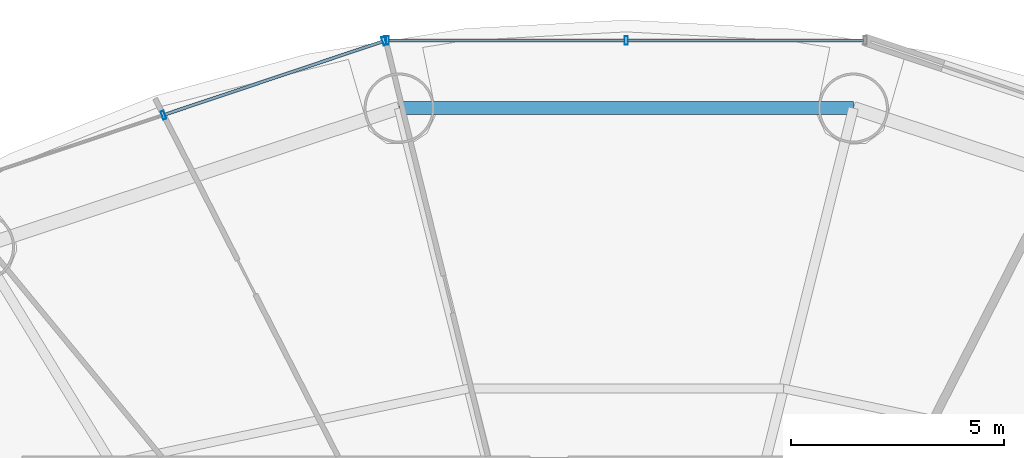
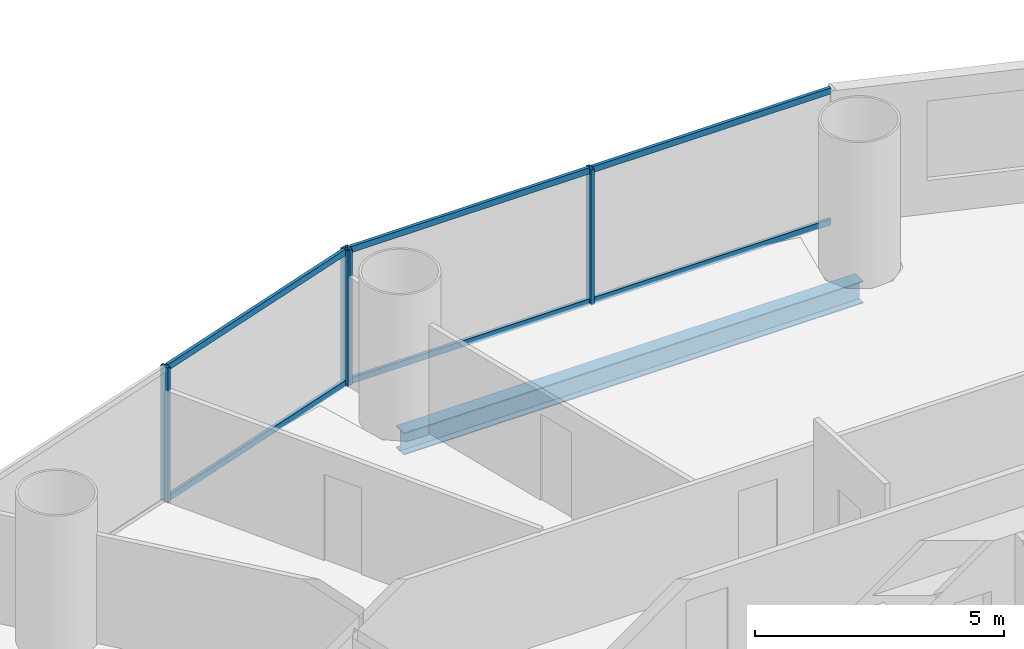
# One storey, part 17 of 29: 10 members, 1 beam, 2 elements without a shape of their own.
"""IFC4 building model written with IfcOpenShell, lengths in metres."""

import ifcopenshell
import ifcopenshell.guid

model = None  # the IFC model being written
_history = None  # IfcOwnerHistory: only IFC2X3 demands one
_inside = {}  # id of a spatial element -> (the spatial element, [elements in it])
_under = {}  # id of a project, library or spatial element -> (it, [spatial elements below it])
_declared = {}  # id of a project -> (the project, [libraries it declares])
_typed = {}  # id of a type object -> (the type object, [elements of that type])
_made_of = {}  # id of a material, layer set ... -> (it, [elements and type objects made of it])


def new_model(schema):
    """Start an empty IFC model of exactly this schema.

    Asked for "IFC4X3", IfcOpenShell would pick the latest addendum, in which some entities
    have other attributes; the version numbers below select the first issue.
    IFC2X3 requires an IfcOwnerHistory on every rooted entity: one is made here for all.
    """
    global model, _history
    if schema == "IFC4X3":
        model = ifcopenshell.file(schema_version=(4, 3, 0, 0))
    else:
        model = ifcopenshell.file(schema=schema)
    _inside.clear()
    _under.clear()
    _declared.clear()
    _typed.clear()
    _made_of.clear()
    _history = None
    if model.schema == "IFC2X3":
        org = make("IfcOrganization", Name="unknown")
        user = make(
            "IfcPersonAndOrganization",
            ThePerson=make("IfcPerson", FamilyName="unknown"),
            TheOrganization=org,
        )
        app = make(
            "IfcApplication",
            ApplicationDeveloper=org,
            Version="unknown",
            ApplicationFullName="unknown",
            ApplicationIdentifier="unknown",
        )
        _history = make(
            "IfcOwnerHistory",
            OwningUser=user,
            OwningApplication=app,
            ChangeAction="ADDED",
            CreationDate=0,
        )
    return model


def make(cls, **values):
    """One entity of the class cls with the attributes given. An attribute that is None is left unset."""
    return model.create_entity(
        cls, **{name: value for name, value in values.items() if value is not None}
    )


def rooted(cls, **values):
    """An entity with a GlobalId (a new one), such as an element, a storey or a relation."""
    return make(cls, GlobalId=ifcopenshell.guid.new(), OwnerHistory=_history, **values)


def si_unit(unit_type, name, prefix=None):
    """IfcSIUnit, for example si_unit("LENGTHUNIT", "METRE", prefix="MILLI")."""
    return make("IfcSIUnit", UnitType=unit_type, Prefix=prefix, Name=name)


def assignment(units):
    """IfcUnitAssignment: the units of a project."""
    return None if units is None else make("IfcUnitAssignment", Units=units)


def point(xyz):
    """IfcCartesianPoint."""
    return None if xyz is None else make("IfcCartesianPoint", Coordinates=xyz)


def direction(xyz):
    """IfcDirection."""
    return None if xyz is None else make("IfcDirection", DirectionRatios=xyz)


def frame(location, z_axis=None, x_axis=None):
    """IfcAxis2Placement3D, a coordinate frame: its origin and axes. An axis left out is left unset."""
    return make(
        "IfcAxis2Placement3D",
        Location=point(location),
        Axis=direction(z_axis),
        RefDirection=direction(x_axis),
    )


def frame_2d(location, x_axis=None):
    """IfcAxis2Placement2D, a coordinate frame in the plane: its origin and x axis."""
    return make(
        "IfcAxis2Placement2D", Location=point(location), RefDirection=direction(x_axis)
    )


def origin():
    """The frame at (0, 0, 0) with its axes left unset."""
    return frame((0.0, 0.0, 0.0))


def origin_2d():
    """The frame at (0, 0) in the plane with its x axis left unset."""
    return frame_2d((0.0, 0.0))


def place(relative_to, where):
    """IfcLocalPlacement: puts the frame where relative to a parent placement (None: the world)."""
    return make(
        "IfcLocalPlacement", PlacementRelTo=relative_to, RelativePlacement=where
    )


def context(
    kind, dimensions, precision=None, world=None, true_north=None, identifier=None
):
    """IfcGeometricRepresentationContext, for example the 3D "Model" context."""
    return make(
        "IfcGeometricRepresentationContext",
        ContextIdentifier=identifier,
        ContextType=kind,
        CoordinateSpaceDimension=dimensions,
        Precision=precision,
        WorldCoordinateSystem=world,
        TrueNorth=true_north,
    )


def subcontext(parent, identifier, kind, view, scale=None):
    """IfcGeometricRepresentationSubContext, for example "Body" below "Model"."""
    return make(
        "IfcGeometricRepresentationSubContext",
        ContextIdentifier=identifier,
        ContextType=kind,
        ParentContext=parent,
        TargetScale=scale,
        TargetView=view,
    )


def project(units=None, contexts=None):
    """IfcProject with its units and contexts."""
    return rooted(
        "IfcProject",
        Name="project",
        RepresentationContexts=contexts,
        UnitsInContext=assignment(units),
    )


def spatial(cls, under=None, at=None, **own):
    """A site, building, storey or space (cls), placed at a placement, below another one or the project."""
    s = rooted(cls, ObjectPlacement=at, **own)
    if under is not None:
        _under.setdefault(under.id(), (under, []))[1].append(s)
    return s


def profile(cls, at=None, kind="AREA", **sizes):
    """A parametric profile (cls). Its sizes go by their IFC names, for example OverallWidth=200.0."""
    return make(cls, ProfileType=kind, Position=at, **sizes)


def hollow_rectangle(**sizes):
    """IfcRectangleHollowProfileDef."""
    return profile("IfcRectangleHollowProfileDef", **sizes)


def i_section(**sizes):
    """IfcIShapeProfileDef."""
    return profile("IfcIShapeProfileDef", **sizes)


def extrude(swept, where, along, depth):
    """IfcExtrudedAreaSolid: the profile swept, set in the frame where, extruded along a direction by depth."""
    return make(
        "IfcExtrudedAreaSolid",
        SweptArea=swept,
        Position=where,
        ExtrudedDirection=direction(along),
        Depth=depth,
    )


def shape(context_of_items, identifier, shape_type, items):
    """IfcShapeRepresentation: the items that make up one representation, for example the "Body"."""
    return make(
        "IfcShapeRepresentation",
        ContextOfItems=context_of_items,
        RepresentationIdentifier=identifier,
        RepresentationType=shape_type,
        Items=items,
    )


def source(mapping_origin, context_of_items, identifier, shape_type, items):
    """IfcRepresentationMap: a shape defined once, which mapped items show again and again."""
    return make(
        "IfcRepresentationMap",
        MappingOrigin=mapping_origin,
        MappedRepresentation=shape(context_of_items, identifier, shape_type, items),
    )


def transform(
    local_origin,
    x_axis=None,
    y_axis=None,
    z_axis=None,
    scale=None,
    scale2=None,
    scale3=None,
    uniform=True,
):
    """IfcCartesianTransformationOperator3D, or its non-uniform kind. x_axis, y_axis, z_axis: its Axis1, 2, 3."""
    if uniform:
        return make(
            "IfcCartesianTransformationOperator3D",
            Axis1=direction(x_axis),
            Axis2=direction(y_axis),
            LocalOrigin=point(local_origin),
            Scale=scale,
            Axis3=direction(z_axis),
        )
    return make(
        "IfcCartesianTransformationOperator3DnonUniform",
        Axis1=direction(x_axis),
        Axis2=direction(y_axis),
        LocalOrigin=point(local_origin),
        Scale=scale,
        Axis3=direction(z_axis),
        Scale2=scale2,
        Scale3=scale3,
    )


def mapped(mapping_source, mapping_target):
    """IfcMappedItem: shows the shape of a source again, moved by a transform."""
    return make(
        "IfcMappedItem", MappingSource=mapping_source, MappingTarget=mapping_target
    )


def material(Name=None, Category=None):
    """IfcMaterial."""
    return make("IfcMaterial", Name=Name, Category=Category)


def material_profile(
    of_material, cross_section, Name=None, Category=None, Priority=None
):
    """IfcMaterialProfile: a cross section and its material."""
    return make(
        "IfcMaterialProfile",
        Name=Name,
        Material=of_material,
        Profile=cross_section,
        Priority=Priority,
        Category=Category,
    )


def profile_set(profiles, Name=None, composite=None):
    """IfcMaterialProfileSet."""
    return make(
        "IfcMaterialProfileSet",
        Name=Name,
        MaterialProfiles=profiles,
        CompositeProfile=composite,
    )


def made_of(thing, what):
    """Note that an element or type object is made of a material, layer set ...; save() writes the relation."""
    if what is not None:
        _made_of.setdefault(what.id(), (what, []))[1].append(thing)
    return thing


def type_object(cls, material=None, **own):
    """A type object (cls), such as IfcWallType, which elements share."""
    return made_of(rooted(cls, **own), material)


def element(
    cls,
    number,
    at=None,
    inside=None,
    cuts=None,
    type_object=None,
    material=None,
    context=None,
    identifier="Body",
    shape_type=None,
    held_by="IfcProductDefinitionShape",
    body=None,
    shapes=None,
    **own,
):
    """One element of the class cls, such as IfcWall. Its Tag is "e" and its number.

    at: its placement. inside: the storey or other place that contains it. cuts: it is an
    opening in that element (IfcRelVoidsElement). A single representation is given by context,
    identifier, shape_type and body (its items); several are given by shapes. held_by: the class
    of the entity that holds the representations. save() writes the other relations.
    """
    e = rooted(cls, Tag="e%d" % number, ObjectPlacement=at, **own)
    if body is not None:
        shapes = [shape(context, identifier, shape_type, body)]
    if shapes is not None:
        e.Representation = make(held_by, Representations=shapes)
    if inside is not None:
        _inside.setdefault(inside.id(), (inside, []))[1].append(e)
    if cuts is not None:
        rooted(
            "IfcRelVoidsElement", RelatingBuildingElement=cuts, RelatedOpeningElement=e
        )
    if type_object is not None:
        _typed.setdefault(type_object.id(), (type_object, []))[1].append(e)
    return made_of(e, material)


def aggregate(whole, parts):
    """IfcRelAggregates: a whole, such as a stair, and the parts it consists of."""
    return rooted("IfcRelAggregates", RelatingObject=whole, RelatedObjects=parts)


def save(model, path):
    """Write the relations noted so far, then the file.

    IfcRelAggregates (storeys below a building ...), IfcRelContainedInSpatialStructure (elements
    in a storey), IfcRelDefinesByType, IfcRelAssociatesMaterial and IfcRelDeclares: one each for
    every whole, place, type object, material and project.
    """
    for whole, parts in _under.values():
        aggregate(whole, parts)
    for where, things in _inside.values():
        rooted(
            "IfcRelContainedInSpatialStructure",
            RelatedElements=things,
            RelatingStructure=where,
        )
    for kind, things in _typed.values():
        rooted("IfcRelDefinesByType", RelatedObjects=things, RelatingType=kind)
    for what, things in _made_of.values():
        rooted("IfcRelAssociatesMaterial", RelatedObjects=things, RelatingMaterial=what)
    for by, libraries in _declared.values():
        rooted("IfcRelDeclares", RelatingContext=by, RelatedDefinitions=libraries)
    model.write(path)


model = new_model("IFC4")

# Units and contexts
model_context = context("Model", 3, precision=1e-05, world=origin(), true_north=direction((-0.2419218956, 0.970295726276)))
body_context = subcontext(model_context, "Body", "Model", "MODEL_VIEW")
ifc_project = project(units=[si_unit("LENGTHUNIT", "METRE"), si_unit("AREAUNIT", "SQUARE_METRE"), si_unit("VOLUMEUNIT", "CUBIC_METRE"), si_unit("PLANEANGLEUNIT", "RADIAN"), si_unit("MASSUNIT", "GRAM", prefix="KILO")], contexts=[model_context])

# Site, building, storey
site_placement = place(None, origin())
site = spatial("IfcSite", under=ifc_project, at=site_placement, CompositionType="ELEMENT")
building_placement = place(site_placement, origin())
building = spatial("IfcBuilding", under=site, at=building_placement, Name="Cobrevalo Terracotta Tower", CompositionType="ELEMENT")
storey_placement = place(building_placement, frame((0.0, 0.0, 52.800048828125)))
storey = spatial("IfcBuildingStorey", under=building, at=storey_placement, Name="L13", CompositionType="ELEMENT", Elevation=52.800048828125)

# Beam
ifc_material_1 = material(Name="Steel S355", Category="steel")
ifc_material_profile_1 = material_profile(ifc_material_1, i_section(OverallWidth=0.31201171875, OverallDepth=0.54296875, WebThickness=0.0126953125, FlangeThickness=0.020263671875, at=origin_2d()), Name="W 530x150")
ifc_profile_set_1 = profile_set([ifc_material_profile_1], Name="Steel S355")
beam_type = type_object("IfcBeamType", Name="Structural Spandrel W 530x150 (Steel S355)", PredefinedType="SPANDREL", material=ifc_profile_set_1)
beam_placement = place(storey_placement, frame((43.335693359375, 48.230224609375, -0.551513671875), z_axis=(-1.0, 0.0, 0.0), x_axis=(0.0, -1.0, 0.0)))
element("IfcBeam", 1, at=beam_placement, inside=storey, type_object=beam_type, Name="L13 perimeter ring spandrel 04", PredefinedType="SPANDREL", context=body_context, shape_type="SweptSolid", body=[
    extrude(i_section(OverallWidth=0.31201171875, OverallDepth=0.54296875, WebThickness=0.0126953125, FlangeThickness=0.020263671875, at=origin_2d()), origin(), (0.0, 0.0, 1.0), 10.67138671875),
])

# Curtain wall, members
ifc_material_2 = material(Name="Anodized aluminium", Category="aluminium")
curtain_wall_type = type_object("IfcCurtainWallType", Name="Lower-tower unitised acoustic low-E curtain wall CW-U1", PredefinedType="NOTDEFINED", material=ifc_material_2)
curtain_wall_1_placement = place(storey_placement, origin())
curtain_wall_1 = element("IfcCurtainWall", 2, at=curtain_wall_1_placement, inside=storey, type_object=curtain_wall_type, Name="L13 curtain wall CW-L13-S04", PredefinedType="NOTDEFINED")
ifc_material_profile_2 = material_profile(ifc_material_2, hollow_rectangle(XDim=0.074951171875, YDim=0.199951171875, WallThickness=0.0048828125, at=origin_2d()), Name="CWM 75x200")
ifc_profile_set_2 = profile_set([ifc_material_profile_2], Name="Anodized aluminium")
member_type_1 = type_object("IfcMemberType", Name="Lower/mid tower unitised mullion 75x200", PredefinedType="MULLION", material=ifc_profile_set_2)
shared_shape_1 = source(origin(), body_context, "Body", "SweptSolid", [
    extrude(hollow_rectangle(XDim=0.074951171875, YDim=0.199951171875, WallThickness=0.0048828125, at=origin_2d()), origin(), (0.0, 0.0, 1.0), 3.320068359375),
])
member_1_placement = place(storey_placement, frame((38.0, 49.819091796875, 0.0), z_axis=(0.0, 0.0, 1.0), x_axis=(-1.0, 0.0, 0.0)))
member_1 = element("IfcMember", 3, at=member_1_placement, type_object=member_type_1, Name="CW-L13-S04 vertical mullion 02", PredefinedType="MULLION", context=body_context, shape_type="MappedRepresentation", body=[
    mapped(shared_shape_1, transform((0.0, 0.0, 0.0), scale=1.0)),
])
member_2_placement = place(storey_placement, frame((32.38818359375, 49.819091796875, 0.0), z_axis=(0.0, 0.0, 1.0), x_axis=(-1.0, 0.0, 0.0)))
member_2 = element("IfcMember", 4, at=member_2_placement, type_object=member_type_1, Name="CW-L13-S04 vertical mullion 03", PredefinedType="MULLION", context=body_context, shape_type="MappedRepresentation", body=[
    mapped(shared_shape_1, transform((0.0, 0.0, 0.0), scale=1.0)),
])

curtain_wall_2_placement = place(storey_placement, origin())
curtain_wall_2 = element("IfcCurtainWall", 5, at=curtain_wall_2_placement, inside=storey, type_object=curtain_wall_type, Name="L13 curtain wall CW-L13-S05", PredefinedType="NOTDEFINED")
member_3_placement = place(storey_placement, frame((32.310302734375, 49.806396484375, 0.0), z_axis=(0.0, 0.0, 1.0), x_axis=(-0.948046393597, -0.318132103987, 0.0)))
member_3 = element("IfcMember", 6, at=member_3_placement, type_object=member_type_1, Name="CW-L13-S05 vertical mullion 01", PredefinedType="MULLION", context=body_context, shape_type="MappedRepresentation", body=[
    mapped(shared_shape_1, transform((0.0, 0.0, 0.0), scale=1.0)),
])
member_4_placement = place(storey_placement, frame((27.126708984375, 48.06689453125, 0.0), z_axis=(0.0, 0.0, 1.0), x_axis=(-0.948046393597, -0.318132103987, 0.0)))
member_4 = element("IfcMember", 7, at=member_4_placement, type_object=member_type_1, Name="CW-L13-S05 vertical mullion 02", PredefinedType="MULLION", context=body_context, shape_type="MappedRepresentation", body=[
    mapped(shared_shape_1, transform((0.0, 0.0, 0.0), scale=1.0)),
])
ifc_material_profile_3 = material_profile(ifc_material_2, hollow_rectangle(XDim=0.074951171875, YDim=0.14990234375, WallThickness=0.00439453125, at=origin_2d()), Name="CWT 75x150")
ifc_profile_set_3 = profile_set([ifc_material_profile_3], Name="Anodized aluminium")
member_type_2 = type_object("IfcMemberType", Name="Tower unitised aluminium transom 75x150", PredefinedType="USERDEFINED", material=ifc_profile_set_3)
shared_shape_2 = source(origin(), body_context, "Body", "SweptSolid", [
    extrude(hollow_rectangle(XDim=0.074951171875, YDim=0.14990234375, WallThickness=0.00439453125, at=origin_2d()), origin(), (0.0, 0.0, 1.0), 5.387939453125),
])
member_5_placement = place(storey_placement, frame((32.2724609375, 49.793701171875, 0.050048828125), z_axis=(-0.94804244582, -0.318143868278, 0.0), x_axis=(0.318143868278, -0.94804244582, 0.0)))
member_5 = element("IfcMember", 8, at=member_5_placement, type_object=member_type_2, Name="CW-L13-S05 transom B01-T1", ObjectType="TRANSOM", PredefinedType="USERDEFINED", context=body_context, shape_type="MappedRepresentation", body=[
    mapped(shared_shape_2, transform((0.0, 0.0, 0.0), scale=1.0)),
])
member_6_placement = place(storey_placement, frame((32.2724609375, 49.793701171875, 3.27001953125), z_axis=(-0.94804244582, -0.318143868278, 0.0), x_axis=(0.318143868278, -0.94804244582, 0.0)))
member_6 = element("IfcMember", 9, at=member_6_placement, type_object=member_type_2, Name="CW-L13-S05 transom B01-T2", ObjectType="TRANSOM", PredefinedType="USERDEFINED", context=body_context, shape_type="MappedRepresentation", body=[
    mapped(shared_shape_2, transform((0.0, 0.0, 0.0), scale=1.0)),
])
aggregate(curtain_wall_2, [member_3, member_4, member_5, member_6])

# Member
shared_shape_3 = source(origin(), body_context, "Body", "SweptSolid", [
    extrude(hollow_rectangle(XDim=0.074951171875, YDim=0.14990234375, WallThickness=0.00439453125, at=origin_2d()), origin(), (0.0, 0.0, 1.0), 5.53173828125),
])
member_7_placement = place(storey_placement, frame((43.57177734375, 49.819091796875, 0.050048828125), z_axis=(-1.0, 0.0, 0.0), x_axis=(0.0, -1.0, 0.0)))
member_7 = element("IfcMember", 10, at=member_7_placement, type_object=member_type_2, Name="CW-L13-S04 transom B01-T1", ObjectType="TRANSOM", PredefinedType="USERDEFINED", context=body_context, shape_type="MappedRepresentation", body=[
    mapped(shared_shape_3, transform((0.0, 0.0, 0.0), scale=1.0)),
])

member_8_placement = place(storey_placement, frame((43.57177734375, 49.819091796875, 3.27001953125), z_axis=(-1.0, 0.0, 0.0), x_axis=(0.0, -1.0, 0.0)))
member_8 = element("IfcMember", 11, at=member_8_placement, type_object=member_type_2, Name="CW-L13-S04 transom B01-T2", ObjectType="TRANSOM", PredefinedType="USERDEFINED", context=body_context, shape_type="MappedRepresentation", body=[
    mapped(shared_shape_3, transform((0.0, 0.0, 0.0), scale=1.0)),
])

member_9_placement = place(storey_placement, frame((37.9599609375, 49.819091796875, 0.050048828125), z_axis=(-1.0, 0.0, 0.0), x_axis=(0.0, -1.0, 0.0)))
member_9 = element("IfcMember", 12, at=member_9_placement, type_object=member_type_2, Name="CW-L13-S04 transom B02-T1", ObjectType="TRANSOM", PredefinedType="USERDEFINED", context=body_context, shape_type="MappedRepresentation", body=[
    mapped(shared_shape_3, transform((0.0, 0.0, 0.0), scale=1.0)),
])

member_10_placement = place(storey_placement, frame((37.9599609375, 49.819091796875, 3.27001953125), z_axis=(-1.0, 0.0, 0.0), x_axis=(0.0, -1.0, 0.0)))
member_10 = element("IfcMember", 13, at=member_10_placement, type_object=member_type_2, Name="CW-L13-S04 transom B02-T2", ObjectType="TRANSOM", PredefinedType="USERDEFINED", context=body_context, shape_type="MappedRepresentation", body=[
    mapped(shared_shape_3, transform((0.0, 0.0, 0.0), scale=1.0)),
])

aggregate(curtain_wall_1, [member_1, member_2, member_7, member_8, member_9, member_10])

save(model, "model.ifc")
